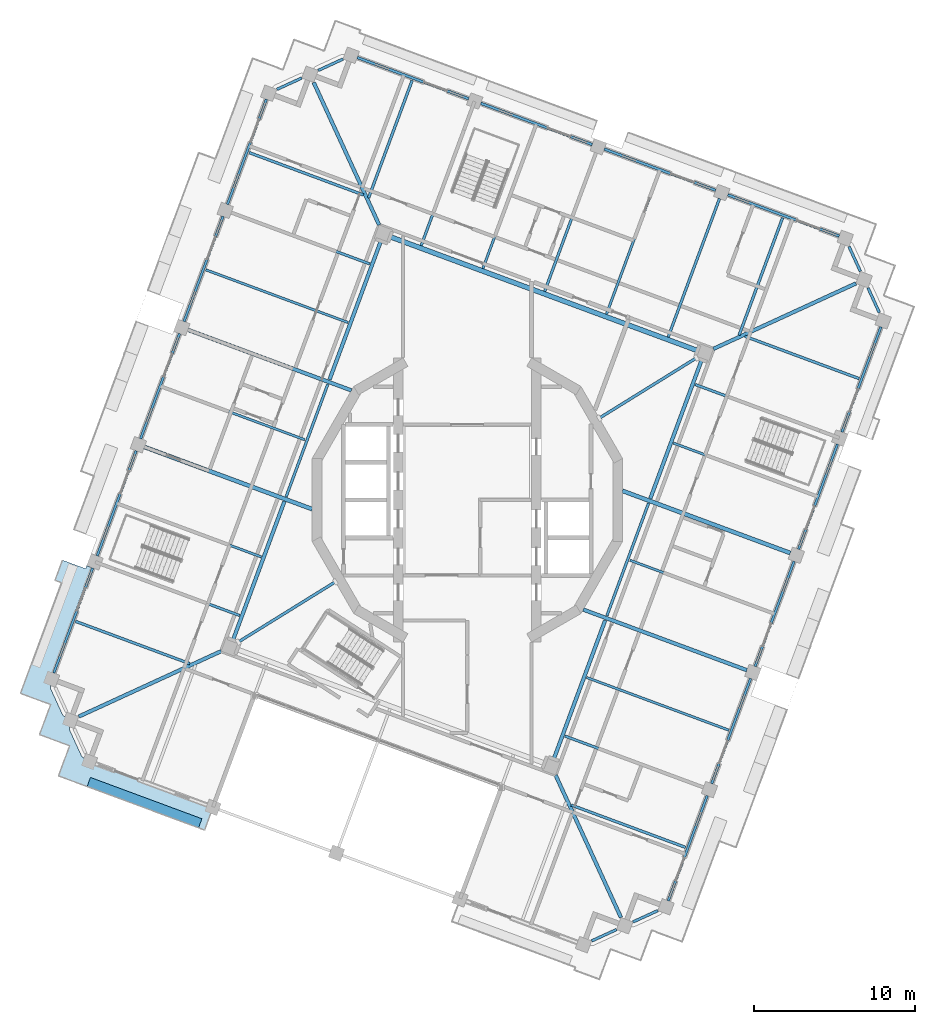
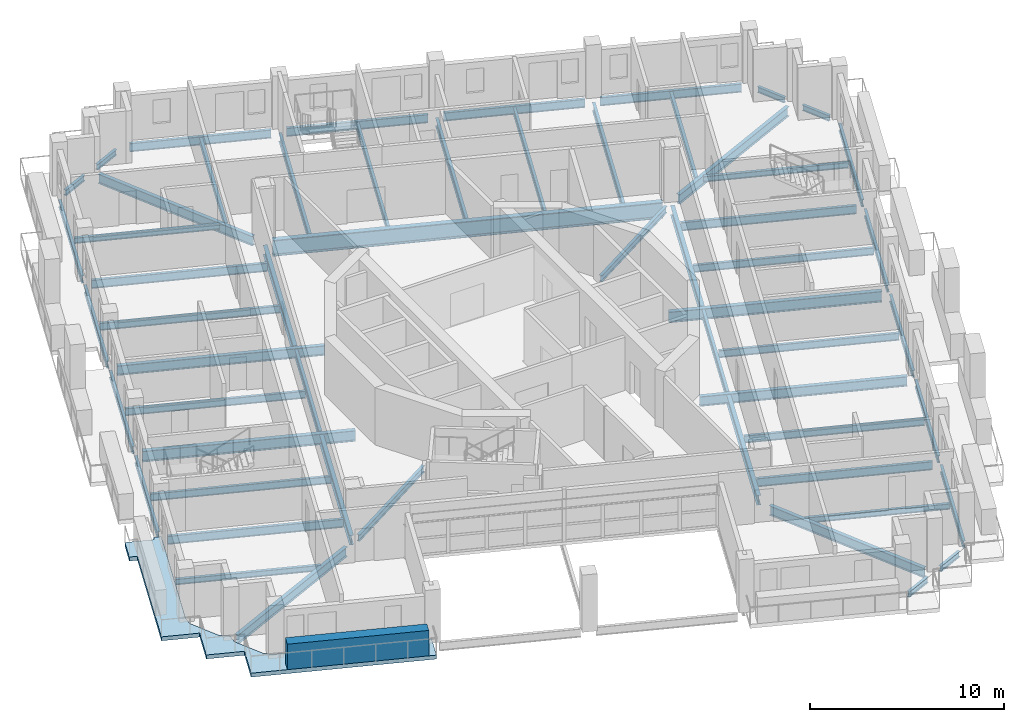
# One storey, part 3 of 19: 58 beams, 1 plate, 1 slab.
"""IFC4 building model written with IfcOpenShell, lengths in metres."""

from ifc_helpers import new_model, si_unit, direction, frame, origin, origin_2d, place, context, subcontext, project, spatial, polyline, rectangle, i_section, outline, extrude, material, layer, layer_set, material_profile, profile_set, type_object, element, save


model = new_model("IFC4")

# Units and contexts
model_context = context("Model", 3, precision=1e-05, world=origin(), true_north=direction((0.0, 1.0)))
body_context = subcontext(model_context, "Body", "Model", "MODEL_VIEW")
ifc_project = project(units=[si_unit("LENGTHUNIT", "METRE"), si_unit("AREAUNIT", "SQUARE_METRE"), si_unit("VOLUMEUNIT", "CUBIC_METRE"), si_unit("PLANEANGLEUNIT", "RADIAN"), si_unit("MASSUNIT", "GRAM", prefix="KILO")], contexts=[model_context])

# Site, building, storey
site_placement = place(None, origin())
site = spatial("IfcSite", under=ifc_project, at=site_placement, CompositionType="ELEMENT")
building_placement = place(site_placement, origin())
building = spatial("IfcBuilding", under=site, at=building_placement, Name="Cantera Rosa Tower", CompositionType="ELEMENT")
storey_placement = place(building_placement, frame((0.0, 0.0, 320.5)))
storey = spatial("IfcBuildingStorey", under=building, at=storey_placement, Name="L71", CompositionType="ELEMENT", Elevation=320.5)

# Beams
ifc_material_1 = material(Name="Steel ASTM A992 (Fy 345 MPa)", Category="steel")
ifc_material_profile_1 = material_profile(ifc_material_1, i_section(OverallWidth=0.302001953125, OverallDepth=1.010009765625, WebThickness=0.02099609375, FlangeThickness=0.0400390625, FilletRadius=0.030029296875, at=origin_2d()), Name="W1000X350")
ifc_profile_set_1 = profile_set([ifc_material_profile_1], Name="Steel ASTM A992 (Fy 345 MPa)")
beam_type_1 = type_object("IfcBeamType", Name="STEEL BEAM W1000X350", PredefinedType="BEAM", material=ifc_profile_set_1)
beam_1_placement = place(storey_placement, frame((14.324951171875, 9.302001953125, -0.7548828125), z_axis=(-0.937687392162, 0.347480006017, 0.0), x_axis=(-0.347480006017, -0.937687392162, 0.0)))
element("IfcBeam", 1, at=beam_1_placement, inside=storey, type_object=beam_type_1, Name="RB-Z6-07 L71", PredefinedType="BEAM", context=body_context, shape_type="SweptSolid", body=[
    extrude(i_section(OverallWidth=0.302001953125, OverallDepth=1.010009765625, WebThickness=0.02099609375, FlangeThickness=0.0400390625, FilletRadius=0.030029296875, at=origin_2d()), origin(), (0.0, 0.0, 1.0), 20.400146484375),
])
ifc_material_2 = material(Name="Steel ASTM A992 (Fy 345 MPa)", Category="steel")
ifc_material_profile_2 = material_profile(ifc_material_2, i_section(OverallWidth=0.177978515625, OverallDepth=0.406005859375, WebThickness=0.0078125, FlangeThickness=0.0126953125, FilletRadius=0.01025390625, at=origin_2d()), Name="W410X60")
ifc_profile_set_2 = profile_set([ifc_material_profile_2], Name="Steel ASTM A992 (Fy 345 MPa)")
beam_type_2 = type_object("IfcBeamType", Name="STEEL BEAM W410X60", PredefinedType="BEAM", material=ifc_profile_set_2)
for number, where, z_axis, x_axis, name in (
    (2, (-14.262451171875, -8.84521484375, -0.452880859375), (0.849840939707, 0.527039255841, 0.0), (-0.527039255841, 0.849840939707, 0.0), "PG-Z6-01 L71"),
    (3, (14.262451171875, 8.84521484375, -0.452880859375), (-0.849840939707, -0.527039255841, 0.0), (0.527039255841, -0.849840939707, 0.0), "PG-Z6-02 L71"),
):
    element("IfcBeam", number, at=place(storey_placement, frame(where, z_axis=z_axis, x_axis=x_axis)), inside=storey, type_object=beam_type_2, Name=name, PredefinedType="BEAM", context=body_context, shape_type="SweptSolid", body=[
        extrude(i_section(OverallWidth=0.177978515625, OverallDepth=0.406005859375, WebThickness=0.0078125, FlangeThickness=0.0126953125, FilletRadius=0.01025390625, at=origin_2d()), origin(), (0.0, 0.0, 1.0), 7.118408203125),
    ])
ifc_material_3 = material(Name="Steel ASTM A992 (Fy 345 MPa)", Category="steel")
ifc_material_profile_3 = material_profile(ifc_material_3, i_section(OverallWidth=0.166015625, OverallDepth=0.528076171875, WebThickness=0.009765625, FlangeThickness=0.013671875, FilletRadius=0.0126953125, at=origin_2d()), Name="W530X74")
ifc_profile_set_3 = profile_set([ifc_material_profile_3], Name="Steel ASTM A992 (Fy 345 MPa)")
beam_type_3 = type_object("IfcBeamType", Name="STEEL BEAM W530X74", PredefinedType="BEAM", material=ifc_profile_set_3)
for number, where, z_axis, x_axis, name in (
    (4, (15.698486328125, 18.764404296875, -0.513916015625), (-0.347476838353, -0.937688566, 0.0), (0.937688566, -0.347476838353, 0.0), "G-Z6-01 L71"),
    (5, (8.009521484375, 21.61376953125, -0.513916015625), (-0.34750017104, -0.937679919337, 0.0), (0.937679919337, -0.34750017104, 0.0), "G-Z6-02 L71"),
    (6, (0.3203125, 24.463134765625, -0.513916015625), (-0.347476838353, -0.937688566, 0.0), (0.937688566, -0.347476838353, 0.0), "G-Z6-03 L71"),
    (7, (-14.69873046875, 17.892333984375, -0.513916015625), (0.937688566, -0.347476838353, 0.0), (0.347476838353, 0.937688566, 0.0), "G-Z6-04 L71"),
    (8, (-22.808837890625, -3.9931640625, -0.513916015625), (0.937688566, -0.347476838353, 0.0), (0.347476838353, 0.937688566, 0.0), "G-Z6-07 L71"),
    (9, (14.69873046875, -17.892333984375, -0.513916015625), (-0.937688566, 0.347476838353, 0.0), (-0.347476838353, -0.937688566, 0.0), "G-Z6-08 L71"),
    (10, (22.808837890625, 3.9931640625, -0.513916015625), (-0.937688566, 0.347476838353, 0.0), (-0.347476838353, -0.937688566, 0.0), "G-Z6-11 L71"),
):
    element("IfcBeam", number, at=place(storey_placement, frame(where, z_axis=z_axis, x_axis=x_axis)), inside=storey, type_object=beam_type_3, Name=name, PredefinedType="BEAM", context=body_context, shape_type="SweptSolid", body=[
        extrude(i_section(OverallWidth=0.166015625, OverallDepth=0.528076171875, WebThickness=0.009765625, FlangeThickness=0.013671875, FilletRadius=0.0126953125, at=origin_2d()), origin(), (0.0, 0.0, 1.0), 9.199951171875),
    ])
for number, where, z_axis, x_axis, name in (
    (11, (-11.285888671875, 0.19384765625, -0.513916015625), (0.347486566882, 0.937684960867, 0.0), (-0.937684960867, 0.347486566882, 0.0), "RB-Z6-02 L71"),
    (12, (8.686767578125, -7.20751953125, -0.513916015625), (0.347486566882, 0.937684960867, 0.0), (-0.937684960867, 0.347486566882, 0.0), "RB-Z6-05 L71"),
):
    element("IfcBeam", number, at=place(storey_placement, frame(where, z_axis=z_axis, x_axis=x_axis)), inside=storey, type_object=beam_type_3, Name=name, PredefinedType="BEAM", context=body_context, shape_type="SweptSolid", body=[
        extrude(i_section(OverallWidth=0.166015625, OverallDepth=0.528076171875, WebThickness=0.009765625, FlangeThickness=0.013671875, FilletRadius=0.0126953125, at=origin_2d()), origin(), (0.0, 0.0, 1.0), 7.479736328125),
    ])
ifc_material_4 = material(Name="Steel ASTM A992 (Fy 345 MPa)", Category="steel")
ifc_material_profile_4 = material_profile(ifc_material_4, i_section(OverallWidth=0.22802734375, OverallDepth=0.60205078125, WebThickness=0.010498046875, FlangeThickness=0.014892578125, FilletRadius=0.0126953125, at=origin_2d()), Name="W610X101")
ifc_profile_set_4 = profile_set([ifc_material_profile_4], Name="Steel ASTM A992 (Fy 345 MPa)")
beam_type_4 = type_object("IfcBeamType", Name="STEEL BEAM W610X101", PredefinedType="BEAM", material=ifc_profile_set_4)
for number, where, z_axis, x_axis, name in (
    (13, (-9.56396484375, 25.992919921875, -0.551025390625), (0.417345508131, -0.908747889595, 0.0), (0.908747889595, 0.417345508131, 0.0), "CB-Z6-01 L71"),
    (14, (-24.19287109375, -13.483642578125, -0.551025390625), (0.908747889595, 0.417345508131, 0.0), (-0.417345508131, 0.908747889595, 0.0), "CB-Z6-02 L71"),
    (15, (9.56396484375, -25.992919921875, -0.551025390625), (-0.417345508131, 0.908747889595, 0.0), (-0.908747889595, -0.417345508131, 0.0), "CB-Z6-03 L71"),
    (16, (24.19287109375, 13.483642578125, -0.551025390625), (-0.908747889595, -0.417345508131, 0.0), (0.417345508131, -0.908747889595, 0.0), "CB-Z6-04 L71"),
):
    element("IfcBeam", number, at=place(storey_placement, frame(where, z_axis=z_axis, x_axis=x_axis)), inside=storey, type_object=beam_type_4, Name=name, PredefinedType="BEAM", context=body_context, shape_type="SweptSolid", body=[
        extrude(i_section(OverallWidth=0.22802734375, OverallDepth=0.60205078125, WebThickness=0.010498046875, FlangeThickness=0.014892578125, FilletRadius=0.0126953125, at=origin_2d()), origin(), (0.0, 0.0, 1.0), 9.758056640625),
    ])
for number, where, z_axis, x_axis, name in (
    (17, (-14.590576171875, -8.7236328125, -0.551025390625), (0.347498244979, 0.937680633125, 0.0), (-0.937680633125, 0.347498244979, 0.0), "RB-Z6-01 L71"),
    (18, (-8.58251953125, 7.489013671875, -0.551025390625), (0.347474937304, 0.937689270465, 0.0), (-0.937689270465, 0.347474937304, 0.0), "RB-Z6-03 L71"),
    (19, (5.38232421875, -16.125, -0.551025390625), (0.347474937304, 0.937689270465, 0.0), (-0.937689270465, 0.347474937304, 0.0), "RB-Z6-04 L71"),
    (20, (11.39013671875, 0.087646484375, -0.551025390625), (0.347498244979, 0.937680633125, 0.0), (-0.937680633125, 0.347498244979, 0.0), "RB-Z6-06 L71"),
):
    element("IfcBeam", number, at=place(storey_placement, frame(where, z_axis=z_axis, x_axis=x_axis)), inside=storey, type_object=beam_type_4, Name=name, PredefinedType="BEAM", context=body_context, shape_type="SweptSolid", body=[
        extrude(i_section(OverallWidth=0.22802734375, OverallDepth=0.60205078125, WebThickness=0.010498046875, FlangeThickness=0.014892578125, FilletRadius=0.0126953125, at=origin_2d()), origin(), (0.0, 0.0, 1.0), 9.2099609375),
    ])
ifc_material_5 = material(Name="Steel ASTM A992 (Fy 345 MPa)", Category="steel")
ifc_material_profile_5 = material_profile(ifc_material_5, i_section(OverallWidth=0.22900390625, OverallDepth=0.612060546875, WebThickness=0.011962890625, FlangeThickness=0.01953125, FilletRadius=0.0126953125, at=origin_2d()), Name="W610X125")
ifc_profile_set_5 = profile_set([ifc_material_profile_5], Name="Steel ASTM A992 (Fy 345 MPa)")
beam_type_5 = type_object("IfcBeamType", Name="STEEL BEAM W610X125", PredefinedType="BEAM", material=ifc_profile_set_5)
for number, where, z_axis, x_axis, name in (
    (21, (-17.402099609375, 10.59716796875, -0.555908203125), (0.937686127687, -0.347483418229, 0.0), (0.347483418229, 0.937686127687, 0.0), "G-Z6-05 L71"),
    (22, (17.402099609375, -10.59716796875, -0.555908203125), (-0.937686127687, 0.347483418229, 0.0), (-0.347483418229, -0.937686127687, 0.0), "G-Z6-09 L71"),
):
    element("IfcBeam", number, at=place(storey_placement, frame(where, z_axis=z_axis, x_axis=x_axis)), inside=storey, type_object=beam_type_5, Name=name, PredefinedType="BEAM", context=body_context, shape_type="SweptSolid", body=[
        extrude(i_section(OverallWidth=0.22900390625, OverallDepth=0.612060546875, WebThickness=0.011962890625, FlangeThickness=0.01953125, FilletRadius=0.0126953125, at=origin_2d()), origin(), (0.0, 0.0, 1.0), 10.8642578125),
    ])
ifc_material_6 = material(Name="Steel ASTM A992 (Fy 345 MPa)", Category="steel")
ifc_material_profile_6 = material_profile(ifc_material_6, i_section(OverallWidth=0.25390625, OverallDepth=0.677978515625, WebThickness=0.01171875, FlangeThickness=0.016357421875, FilletRadius=0.01513671875, at=origin_2d()), Name="W690X125")
ifc_profile_set_6 = profile_set([ifc_material_profile_6], Name="Steel ASTM A992 (Fy 345 MPa)")
beam_type_6 = type_object("IfcBeamType", Name="STEEL BEAM W690X125", PredefinedType="BEAM", material=ifc_profile_set_6)
for number, where, z_axis, x_axis, name in (
    (23, (-20.10546875, 3.302001953125, -0.589111328125), (0.937687416585, -0.347479940109, 0.0), (0.347479940109, 0.937687416585, 0.0), "G-Z6-06 L71"),
    (24, (20.10546875, -3.302001953125, -0.589111328125), (-0.937687416585, 0.347479940109, 0.0), (-0.347479940109, -0.937687416585, 0.0), "G-Z6-10 L71"),
):
    element("IfcBeam", number, at=place(storey_placement, frame(where, z_axis=z_axis, x_axis=x_axis)), inside=storey, type_object=beam_type_6, Name=name, PredefinedType="BEAM", context=body_context, shape_type="SweptSolid", body=[
        extrude(i_section(OverallWidth=0.25390625, OverallDepth=0.677978515625, WebThickness=0.01171875, FlangeThickness=0.016357421875, FilletRadius=0.01513671875, at=origin_2d()), origin(), (0.0, 0.0, 1.0), 11.140380859375),
    ])
ifc_material_7 = material(Name="Steel ASTM A992 (Fy 345 MPa)", Category="steel")
ifc_material_profile_7 = material_profile(ifc_material_7, i_section(OverallWidth=0.1708984375, OverallDepth=0.35595703125, WebThickness=0.00732421875, FlangeThickness=0.01171875, FilletRadius=0.010009765625, at=origin_2d()), Name="W360X51")
ifc_profile_set_7 = profile_set([ifc_material_profile_7], Name="Steel ASTM A992 (Fy 345 MPa)")
beam_type_7 = type_object("IfcBeamType", Name="STEEL JOIST W360X51", PredefinedType="JOIST", material=ifc_profile_set_7)
for number, where, z_axis, x_axis, name in (
    (25, (19.6298828125, 17.573974609375, -0.427978515625), (-0.347491728417, -0.937683048093, 0.0), (0.937683048093, -0.347491728417, 0.0), "B-Z6-01 L71"),
    (26, (-3.437255859375, 26.1220703125, -0.427978515625), (-0.347491728417, -0.937683048093, 0.0), (0.937683048093, -0.347491728417, 0.0), "B-Z6-04 L71"),
):
    element("IfcBeam", number, at=place(storey_placement, frame(where, z_axis=z_axis, x_axis=x_axis)), inside=storey, type_object=beam_type_7, Name=name, PredefinedType="JOIST", context=body_context, shape_type="SweptSolid", body=[
        extrude(i_section(OverallWidth=0.1708984375, OverallDepth=0.35595703125, WebThickness=0.00732421875, FlangeThickness=0.01171875, FilletRadius=0.010009765625, at=origin_2d()), origin(), (0.0, 0.0, 1.0), 7.800048828125),
    ])
beam_2_placement = place(storey_placement, frame((-13.581298828125, 21.626953125, -0.427978515625), z_axis=(0.93768239316, -0.347493495705, 0.0), x_axis=(0.347493495705, 0.93768239316, 0.0)))
element("IfcBeam", 27, at=beam_2_placement, inside=storey, type_object=beam_type_7, Name="B-Z6-05 L71", PredefinedType="JOIST", context=body_context, shape_type="SweptSolid", body=[
    extrude(i_section(OverallWidth=0.1708984375, OverallDepth=0.35595703125, WebThickness=0.00732421875, FlangeThickness=0.01171875, FilletRadius=0.010009765625, at=origin_2d()), origin(), (0.0, 0.0, 1.0), 7.58984375),
])
beam_3_placement = place(storey_placement, frame((-24.39501953125, -7.553955078125, -0.427978515625), z_axis=(0.937686277131, -0.347483014951, 0.0), x_axis=(0.347483014951, 0.937686277131, 0.0)))
element("IfcBeam", 28, at=beam_3_placement, inside=storey, type_object=beam_type_7, Name="B-Z6-09 L71", PredefinedType="JOIST", context=body_context, shape_type="SweptSolid", body=[
    extrude(i_section(OverallWidth=0.1708984375, OverallDepth=0.35595703125, WebThickness=0.00732421875, FlangeThickness=0.01171875, FilletRadius=0.010009765625, at=origin_2d()), origin(), (0.0, 0.0, 1.0), 7.590087890625),
])
beam_4_placement = place(storey_placement, frame((13.581298828125, -21.626953125, -0.427978515625), z_axis=(-0.93768239316, 0.347493495705, 0.0), x_axis=(-0.347493495705, -0.93768239316, 0.0)))
element("IfcBeam", 29, at=beam_4_placement, inside=storey, type_object=beam_type_7, Name="B-Z6-10 L71", PredefinedType="JOIST", context=body_context, shape_type="SweptSolid", body=[
    extrude(i_section(OverallWidth=0.1708984375, OverallDepth=0.35595703125, WebThickness=0.00732421875, FlangeThickness=0.01171875, FilletRadius=0.010009765625, at=origin_2d()), origin(), (0.0, 0.0, 1.0), 7.58984375),
])
beam_5_placement = place(storey_placement, frame((24.39501953125, 7.553955078125, -0.427978515625), z_axis=(-0.937686277131, 0.347483014951, 0.0), x_axis=(-0.347483014951, -0.937686277131, 0.0)))
element("IfcBeam", 30, at=beam_5_placement, inside=storey, type_object=beam_type_7, Name="B-Z6-14 L71", PredefinedType="JOIST", context=body_context, shape_type="SweptSolid", body=[
    extrude(i_section(OverallWidth=0.1708984375, OverallDepth=0.35595703125, WebThickness=0.00732421875, FlangeThickness=0.01171875, FilletRadius=0.010009765625, at=origin_2d()), origin(), (0.0, 0.0, 1.0), 7.590087890625),
])
ifc_material_8 = material(Name="Steel ASTM A992 (Fy 345 MPa)", Category="steel")
ifc_material_profile_8 = material_profile(ifc_material_8, i_section(OverallWidth=0.154052734375, OverallDepth=0.4599609375, WebThickness=0.009033203125, FlangeThickness=0.015380859375, FilletRadius=0.01025390625, at=origin_2d()), Name="W460X68")
ifc_profile_set_8 = profile_set([ifc_material_profile_8], Name="Steel ASTM A992 (Fy 345 MPa)")
beam_type_8 = type_object("IfcBeamType", Name="STEEL JOIST W460X68", PredefinedType="JOIST", material=ifc_profile_set_8)
for number, where, z_axis, x_axis, name in (
    (31, (11.94091796875, 20.42333984375, -0.47998046875), (-0.347482637031, -0.937686417179, 0.0), (0.937686417179, -0.347482637031, 0.0), "B-Z6-02 L71"),
    (32, (4.251708984375, 23.272705078125, -0.47998046875), (-0.347482637031, -0.937686417179, 0.0), (0.937686417179, -0.347482637031, 0.0), "B-Z6-03 L71"),
    (33, (-16.28466796875, 14.331787109375, -0.47998046875), (0.937686417179, -0.347482637031, 0.0), (0.347482637031, 0.937686417179, 0.0), "B-Z6-06 L71"),
):
    element("IfcBeam", number, at=place(storey_placement, frame(where, z_axis=z_axis, x_axis=x_axis)), inside=storey, type_object=beam_type_8, Name=name, PredefinedType="JOIST", context=body_context, shape_type="SweptSolid", body=[
        extrude(i_section(OverallWidth=0.154052734375, OverallDepth=0.4599609375, WebThickness=0.009033203125, FlangeThickness=0.015380859375, FilletRadius=0.01025390625, at=origin_2d()), origin(), (0.0, 0.0, 1.0), 9.449951171875),
    ])
for number, where, z_axis, x_axis, name in (
    (34, (-18.98828125, 7.036376953125, -0.47998046875), (0.937689536508, -0.347474219364, 0.0), (0.347474219364, 0.937689536508, 0.0), "B-Z6-07 L71"),
    (35, (-21.691650390625, -0.2587890625, -0.47998046875), (0.937689536508, -0.347474219364, 0.0), (0.347474219364, 0.937689536508, 0.0), "B-Z6-08 L71"),
):
    element("IfcBeam", number, at=place(storey_placement, frame(where, z_axis=z_axis, x_axis=x_axis)), inside=storey, type_object=beam_type_8, Name=name, PredefinedType="JOIST", context=body_context, shape_type="SweptSolid", body=[
        extrude(i_section(OverallWidth=0.154052734375, OverallDepth=0.4599609375, WebThickness=0.009033203125, FlangeThickness=0.015380859375, FilletRadius=0.01025390625, at=origin_2d()), origin(), (0.0, 0.0, 1.0), 9.4501953125),
    ])
beam_6_placement = place(storey_placement, frame((16.28466796875, -14.331787109375, -0.47998046875), z_axis=(-0.937686417179, 0.347482637031, 0.0), x_axis=(-0.347482637031, -0.937686417179, 0.0)))
element("IfcBeam", 36, at=beam_6_placement, inside=storey, type_object=beam_type_8, Name="B-Z6-11 L71", PredefinedType="JOIST", context=body_context, shape_type="SweptSolid", body=[
    extrude(i_section(OverallWidth=0.154052734375, OverallDepth=0.4599609375, WebThickness=0.009033203125, FlangeThickness=0.015380859375, FilletRadius=0.01025390625, at=origin_2d()), origin(), (0.0, 0.0, 1.0), 9.449951171875),
])
for number, where, z_axis, x_axis, name in (
    (37, (18.98828125, -7.036376953125, -0.47998046875), (-0.937689536508, 0.347474219364, 0.0), (-0.347474219364, -0.937689536508, 0.0), "B-Z6-12 L71"),
    (38, (21.691650390625, 0.2587890625, -0.47998046875), (-0.937689536508, 0.347474219364, 0.0), (-0.347474219364, -0.937689536508, 0.0), "B-Z6-13 L71"),
):
    element("IfcBeam", number, at=place(storey_placement, frame(where, z_axis=z_axis, x_axis=x_axis)), inside=storey, type_object=beam_type_8, Name=name, PredefinedType="JOIST", context=body_context, shape_type="SweptSolid", body=[
        extrude(i_section(OverallWidth=0.154052734375, OverallDepth=0.4599609375, WebThickness=0.009033203125, FlangeThickness=0.015380859375, FilletRadius=0.01025390625, at=origin_2d()), origin(), (0.0, 0.0, 1.0), 9.4501953125),
    ])
ifc_material_9 = material(Name="Steel ASTM A992 (Fy 345 MPa)", Category="steel")
ifc_material_profile_9 = material_profile(ifc_material_9, i_section(OverallWidth=0.1708984375, OverallDepth=0.35595703125, WebThickness=0.00732421875, FlangeThickness=0.01171875, FilletRadius=0.010009765625, at=origin_2d()), Name="W360X51")
ifc_profile_set_9 = profile_set([ifc_material_profile_9], Name="Steel ASTM A992 (Fy 345 MPa)")
beam_type_9 = type_object("IfcBeamType", Name="STEEL SPANDREL BEAM W360X51", PredefinedType="SPANDREL", material=ifc_profile_set_9)
for number, where, z_axis, x_axis, name in (
    (39, (-7.74365234375, 27.451416015625, -0.427978515625), (-0.908753529973, -0.417333226286, 0.0), (0.417333226286, -0.908753529973, 0.0), "EB-Z6-05 L71"),
    (40, (-10.31396484375, 26.27099609375, -0.427978515625), (-0.908753529973, -0.417333226286, 0.0), (0.417333226286, -0.908753529973, 0.0), "EB-Z6-06 L71"),
    (41, (7.74365234375, -27.451416015625, -0.427978515625), (0.908753529973, 0.417333226286, 0.0), (-0.417333226286, 0.908753529973, 0.0), "EB-Z6-18 L71"),
    (42, (10.31396484375, -26.27099609375, -0.427978515625), (0.908753529973, 0.417333226286, 0.0), (-0.417333226286, 0.908753529973, 0.0), "EB-Z6-19 L71"),
):
    element("IfcBeam", number, at=place(storey_placement, frame(where, z_axis=z_axis, x_axis=x_axis)), inside=storey, type_object=beam_type_9, Name=name, PredefinedType="SPANDREL", context=body_context, shape_type="SweptSolid", body=[
        extrude(i_section(OverallWidth=0.1708984375, OverallDepth=0.35595703125, WebThickness=0.00732421875, FlangeThickness=0.01171875, FilletRadius=0.010009765625, at=origin_2d()), origin(), (0.0, 0.0, 1.0), 1.697021484375),
    ])
for number, where, z_axis, x_axis, name in (
    (43, (25.651123046875, 11.66357421875, -0.427978515625), (-0.417268968709, 0.908783036677, 0.0), (-0.908783036677, -0.417268968709, 0.0), "EB-Z6-25 L71"),
    (44, (24.470947265625, 14.23388671875, -0.427978515625), (-0.417387791404, 0.908728469669, 0.0), (-0.908728469669, -0.417387791404, 0.0), "EB-Z6-26 L71"),
):
    element("IfcBeam", number, at=place(storey_placement, frame(where, z_axis=z_axis, x_axis=x_axis)), inside=storey, type_object=beam_type_9, Name=name, PredefinedType="SPANDREL", context=body_context, shape_type="SweptSolid", body=[
        extrude(i_section(OverallWidth=0.1708984375, OverallDepth=0.35595703125, WebThickness=0.00732421875, FlangeThickness=0.01171875, FilletRadius=0.010009765625, at=origin_2d()), origin(), (0.0, 0.0, 1.0), 1.69677734375),
    ])
ifc_material_10 = material(Name="Steel ASTM A992 (Fy 345 MPa)", Category="steel")
ifc_material_profile_10 = material_profile(ifc_material_10, i_section(OverallWidth=0.154052734375, OverallDepth=0.4599609375, WebThickness=0.009033203125, FlangeThickness=0.015380859375, FilletRadius=0.01025390625, at=origin_2d()), Name="W460X68")
ifc_profile_set_10 = profile_set([ifc_material_profile_10], Name="Steel ASTM A992 (Fy 345 MPa)")
beam_type_10 = type_object("IfcBeamType", Name="STEEL SPANDREL BEAM W460X68", PredefinedType="SPANDREL", material=ifc_profile_set_10)
beam_7_placement = place(storey_placement, frame((-12.50927734375, 24.95166015625, -0.47998046875), z_axis=(-0.347490919506, -0.937683347864, 0.0), x_axis=(0.937683347864, -0.347490919506, 0.0)))
element("IfcBeam", 45, at=beam_7_placement, inside=storey, type_object=beam_type_10, Name="EB-Z6-07 L71", PredefinedType="SPANDREL", context=body_context, shape_type="SweptSolid", body=[
    extrude(i_section(OverallWidth=0.154052734375, OverallDepth=0.4599609375, WebThickness=0.009033203125, FlangeThickness=0.015380859375, FilletRadius=0.01025390625, at=origin_2d()), origin(), (0.0, 0.0, 1.0), 6.980224609375),
])
for number, where, z_axis, x_axis, name in (
    (46, (-15.212646484375, 17.65625, -0.47998046875), (-0.347502316452, -0.937679124253, 0.0), (0.937679124253, -0.347502316452, 0.0), "EB-Z6-08 L71"),
    (47, (-17.916015625, 10.361083984375, -0.47998046875), (-0.347502316452, -0.937679124253, 0.0), (0.937679124253, -0.347502316452, 0.0), "EB-Z6-09 L71"),
):
    element("IfcBeam", number, at=place(storey_placement, frame(where, z_axis=z_axis, x_axis=x_axis)), inside=storey, type_object=beam_type_10, Name=name, PredefinedType="SPANDREL", context=body_context, shape_type="SweptSolid", body=[
        extrude(i_section(OverallWidth=0.154052734375, OverallDepth=0.4599609375, WebThickness=0.009033203125, FlangeThickness=0.015380859375, FilletRadius=0.01025390625, at=origin_2d()), origin(), (0.0, 0.0, 1.0), 6.97998046875),
    ])
beam_8_placement = place(storey_placement, frame((-20.61962890625, 3.06591796875, -0.47998046875), z_axis=(-0.347471562124, -0.937690521182, 0.0), x_axis=(0.937690521182, -0.347471562124, 0.0)))
element("IfcBeam", 48, at=beam_8_placement, inside=storey, type_object=beam_type_10, Name="EB-Z6-10 L71", PredefinedType="SPANDREL", context=body_context, shape_type="SweptSolid", body=[
    extrude(i_section(OverallWidth=0.154052734375, OverallDepth=0.4599609375, WebThickness=0.009033203125, FlangeThickness=0.015380859375, FilletRadius=0.01025390625, at=origin_2d()), origin(), (0.0, 0.0, 1.0), 6.979736328125),
])
beam_9_placement = place(storey_placement, frame((-23.322998046875, -4.229248046875, -0.47998046875), z_axis=(-0.347460165909, -0.937694744097, 0.0), x_axis=(0.937694744097, -0.347460165909, 0.0)))
element("IfcBeam", 49, at=beam_9_placement, inside=storey, type_object=beam_type_10, Name="EB-Z6-11 L71", PredefinedType="SPANDREL", context=body_context, shape_type="SweptSolid", body=[
    extrude(i_section(OverallWidth=0.154052734375, OverallDepth=0.4599609375, WebThickness=0.009033203125, FlangeThickness=0.015380859375, FilletRadius=0.01025390625, at=origin_2d()), origin(), (0.0, 0.0, 1.0), 6.97998046875),
])
beam_10_placement = place(storey_placement, frame((12.50927734375, -24.95166015625, -0.47998046875), z_axis=(0.347490919506, 0.937683347864, 0.0), x_axis=(-0.937683347864, 0.347490919506, 0.0)))
element("IfcBeam", 50, at=beam_10_placement, inside=storey, type_object=beam_type_10, Name="EB-Z6-20 L71", PredefinedType="SPANDREL", context=body_context, shape_type="SweptSolid", body=[
    extrude(i_section(OverallWidth=0.154052734375, OverallDepth=0.4599609375, WebThickness=0.009033203125, FlangeThickness=0.015380859375, FilletRadius=0.01025390625, at=origin_2d()), origin(), (0.0, 0.0, 1.0), 6.980224609375),
])
for number, where, z_axis, x_axis, name in (
    (51, (15.212646484375, -17.65625, -0.47998046875), (0.347502316452, 0.937679124253, 0.0), (-0.937679124253, 0.347502316452, 0.0), "EB-Z6-21 L71"),
    (52, (17.916015625, -10.361083984375, -0.47998046875), (0.347502316452, 0.937679124253, 0.0), (-0.937679124253, 0.347502316452, 0.0), "EB-Z6-22 L71"),
):
    element("IfcBeam", number, at=place(storey_placement, frame(where, z_axis=z_axis, x_axis=x_axis)), inside=storey, type_object=beam_type_10, Name=name, PredefinedType="SPANDREL", context=body_context, shape_type="SweptSolid", body=[
        extrude(i_section(OverallWidth=0.154052734375, OverallDepth=0.4599609375, WebThickness=0.009033203125, FlangeThickness=0.015380859375, FilletRadius=0.01025390625, at=origin_2d()), origin(), (0.0, 0.0, 1.0), 6.97998046875),
    ])
beam_11_placement = place(storey_placement, frame((20.61962890625, -3.06591796875, -0.47998046875), z_axis=(0.347471562124, 0.937690521182, 0.0), x_axis=(-0.937690521182, 0.347471562124, 0.0)))
element("IfcBeam", 53, at=beam_11_placement, inside=storey, type_object=beam_type_10, Name="EB-Z6-23 L71", PredefinedType="SPANDREL", context=body_context, shape_type="SweptSolid", body=[
    extrude(i_section(OverallWidth=0.154052734375, OverallDepth=0.4599609375, WebThickness=0.009033203125, FlangeThickness=0.015380859375, FilletRadius=0.01025390625, at=origin_2d()), origin(), (0.0, 0.0, 1.0), 6.979736328125),
])
beam_12_placement = place(storey_placement, frame((23.322998046875, 4.229248046875, -0.47998046875), z_axis=(0.347460165909, 0.937694744097, 0.0), x_axis=(-0.937694744097, 0.347460165909, 0.0)))
element("IfcBeam", 54, at=beam_12_placement, inside=storey, type_object=beam_type_10, Name="EB-Z6-24 L71", PredefinedType="SPANDREL", context=body_context, shape_type="SweptSolid", body=[
    extrude(i_section(OverallWidth=0.154052734375, OverallDepth=0.4599609375, WebThickness=0.009033203125, FlangeThickness=0.015380859375, FilletRadius=0.01025390625, at=origin_2d()), origin(), (0.0, 0.0, 1.0), 6.97998046875),
])
ifc_material_11 = material(Name="Steel ASTM A992 (Fy 345 MPa)", Category="steel")
ifc_material_profile_11 = material_profile(ifc_material_11, i_section(OverallWidth=0.166015625, OverallDepth=0.528076171875, WebThickness=0.009765625, FlangeThickness=0.013671875, FilletRadius=0.0126953125, at=origin_2d()), Name="W530X74")
ifc_profile_set_11 = profile_set([ifc_material_profile_11], Name="Steel ASTM A992 (Fy 345 MPa)")
beam_type_11 = type_object("IfcBeamType", Name="STEEL SPANDREL BEAM W530X74", PredefinedType="SPANDREL", material=ifc_profile_set_11)
beam_13_placement = place(storey_placement, frame((23.1513671875, 16.428955078125, -0.513916015625), z_axis=(-0.937676706507, 0.347508840281, 0.0), x_axis=(-0.347508840281, -0.937676706507, 0.0)))
element("IfcBeam", 55, at=beam_13_placement, inside=storey, type_object=beam_type_11, Name="EB-Z6-01 L71", PredefinedType="SPANDREL", context=body_context, shape_type="SweptSolid", body=[
    extrude(i_section(OverallWidth=0.166015625, OverallDepth=0.528076171875, WebThickness=0.009765625, FlangeThickness=0.013671875, FilletRadius=0.0126953125, at=origin_2d()), origin(), (0.0, 0.0, 1.0), 7.39990234375),
])
for number, where, z_axis, x_axis, name in (
    (56, (15.46240234375, 19.2783203125, -0.513916015625), (-0.937680690562, 0.34749808999, 0.0), (-0.34749808999, -0.937680690562, 0.0), "EB-Z6-02 L71"),
    (57, (7.7734375, 22.127685546875, -0.513916015625), (-0.937680690562, 0.34749808999, 0.0), (-0.34749808999, -0.937680690562, 0.0), "EB-Z6-03 L71"),
):
    element("IfcBeam", number, at=place(storey_placement, frame(where, z_axis=z_axis, x_axis=x_axis)), inside=storey, type_object=beam_type_11, Name=name, PredefinedType="SPANDREL", context=body_context, shape_type="SweptSolid", body=[
        extrude(i_section(OverallWidth=0.166015625, OverallDepth=0.528076171875, WebThickness=0.009765625, FlangeThickness=0.013671875, FilletRadius=0.0126953125, at=origin_2d()), origin(), (0.0, 0.0, 1.0), 7.400146484375),
    ])
beam_14_placement = place(storey_placement, frame((0.084228515625, 24.97705078125, -0.513916015625), z_axis=(-0.937687456783, 0.347479831633, 0.0), x_axis=(-0.347479831633, -0.937687456783, 0.0)))
element("IfcBeam", 58, at=beam_14_placement, inside=storey, type_object=beam_type_11, Name="EB-Z6-04 L71", PredefinedType="SPANDREL", context=body_context, shape_type="SweptSolid", body=[
    extrude(i_section(OverallWidth=0.166015625, OverallDepth=0.528076171875, WebThickness=0.009765625, FlangeThickness=0.013671875, FilletRadius=0.0126953125, at=origin_2d()), origin(), (0.0, 0.0, 1.0), 7.39990234375),
])

# Slab
ifc_material_12 = material(Name="Concrete C35/45", Category="concrete")
ifc_layer = layer(ifc_material_12, 0.25)
ifc_layer_set = layer_set([ifc_layer], Name="LOGGIA SLAB 250 C35/45")
slab_type = type_object("IfcSlabType", Name="LOGGIA SLAB 250 C35/45", PredefinedType="FLOOR", material=ifc_layer_set)
slab_placement = place(storey_placement, frame((0.0, 0.0, -0.25)))
element("IfcSlab", 59, at=slab_placement, inside=storey, type_object=slab_type, Name="LOGGIA SLAB L71 1", PredefinedType="FLOOR", context=body_context, shape_type="SweptSolid", body=[
    extrude(outline(polyline([(-24.047607421875, -17.696533203125), (-25.454345703125, -17.17529296875), (-24.93310546875, -15.768798828125), (-24.75927734375, -15.300048828125), (-25.22802734375, -15.126220703125), (-26.634765625, -14.60498046875), (-26.11328125, -13.198486328125), (-25.939697265625, -12.729736328125), (-26.408447265625, -12.555908203125), (-26.410400390625, -12.561279296875), (-27.822509765625, -12.0380859375), (-25.268310546875, -5.145751953125), (-25.671142578125, -4.996337890625), (-25.20703125, -3.744384765625), (-23.767578125, -4.27783203125), (-23.697998046875, -4.09033203125), (-23.322998046875, -4.229248046875), (-25.88720703125, -11.1494140625), (-25.947509765625, -11.6162109375), (-25.95068359375, -11.6455078125), (-25.950927734375, -11.6748046875), (-25.948486328125, -11.7041015625), (-25.943115234375, -11.733154296875), (-25.934814453125, -11.76123046875), (-25.923828125, -11.788818359375), (-25.215576171875, -13.330810546875), (-25.201904296875, -13.35693359375), (-25.18603515625, -13.381591796875), (-25.16748046875, -13.404541015625), (-25.14697265625, -13.42578125), (-25.12451171875, -13.444580078125), (-25.10009765625, -13.461181640625), (-24.706787109375, -13.7197265625), (-24.76708984375, -14.186279296875), (-24.770263671875, -14.2158203125), (-24.7705078125, -14.2451171875), (-24.76806640625, -14.2744140625), (-24.7626953125, -14.303466796875), (-24.75439453125, -14.331787109375), (-24.743408203125, -14.35888671875), (-24.03515625, -15.901123046875), (-24.021484375, -15.92724609375), (-24.005615234375, -15.951904296875), (-23.987060546875, -15.974853515625), (-23.966552734375, -15.99609375), (-23.944091796875, -16.014892578125), (-23.919677734375, -16.031494140625), (-23.526611328125, -16.2900390625), (-15.83740234375, -19.139404296875), (-16.358642578125, -20.5458984375), (-17.76513671875, -20.024658203125), (-24.047607421875, -17.696533203125)])), origin(), (0.0, 0.0, 1.0), 0.25),
])

# Plate
ifc_material_13 = material(Name="Cantera stone planter with soil", Category="masonry")
plate_type = type_object("IfcPlateType", Name="PLANTER 600", PredefinedType="USERDEFINED", material=ifc_material_13)
plate_placement = place(storey_placement, frame((-20.098876953125, -18.83984375, 0.0), z_axis=(0.0, 0.0, 1.0), x_axis=(0.937686936924, -0.347481234489, 0.0)))
element("IfcPlate", 60, at=plate_placement, inside=storey, type_object=plate_type, Name="PLANTER L71-10", ObjectType="PLANTER", PredefinedType="USERDEFINED", context=body_context, shape_type="SweptSolid", body=[
    extrude(rectangle(XDim=7.39990234375, YDim=0.60009765625, at=origin_2d()), origin(), (0.0, 0.0, 1.0), 1.60009765625),
])

save(model, "model.ifc")
